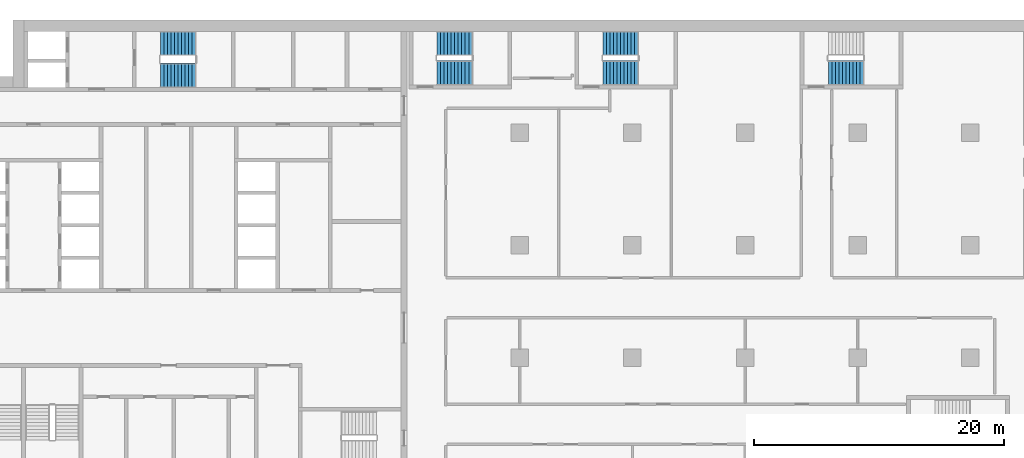
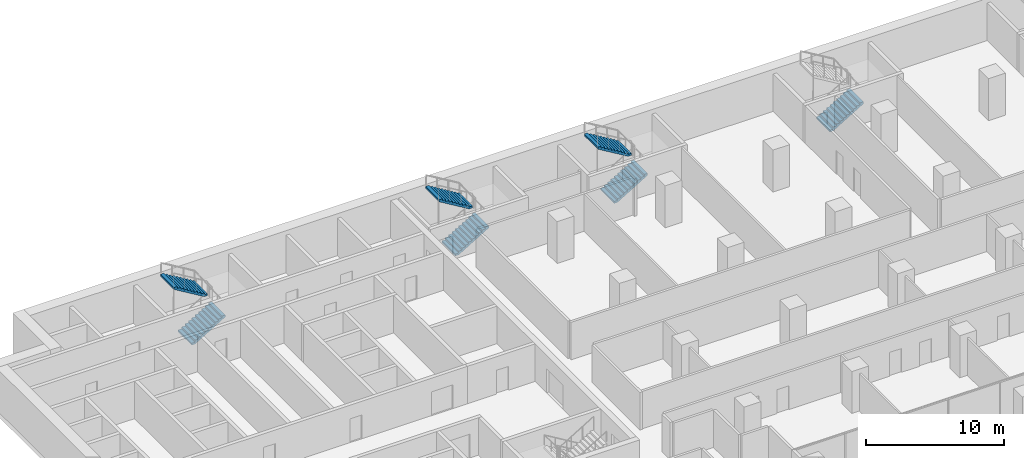
# One storey, part 21 of 28: 7 stair flights, 4 elements without a shape of their own.
"""IFC4 building model written with IfcOpenShell, lengths in metres."""

from ifc_helpers import new_model, si_unit, direction, frame, origin, place, context, subcontext, project, spatial, polyline, outline, extrude, material, type_object, element, aggregate, save


model = new_model("IFC4")

# Units and contexts
model_context = context("Model", 3, precision=1e-05, world=origin(), true_north=direction((0.0, 1.0)))
body_context = subcontext(model_context, "Body", "Model", "MODEL_VIEW")
ifc_project = project(units=[si_unit("LENGTHUNIT", "METRE"), si_unit("AREAUNIT", "SQUARE_METRE"), si_unit("VOLUMEUNIT", "CUBIC_METRE"), si_unit("PLANEANGLEUNIT", "RADIAN"), si_unit("MASSUNIT", "GRAM", prefix="KILO")], contexts=[model_context])

# Site, building, storey
site_placement = place(None, origin())
site = spatial("IfcSite", under=ifc_project, at=site_placement, CompositionType="ELEMENT")
building_placement = place(site_placement, origin())
building = spatial("IfcBuilding", under=site, at=building_placement, Name="Hunhe Ridgeline Campus", CompositionType="ELEMENT")
storey_placement = place(building_placement, frame((0.0, 0.0, 72.800048828125)))
storey = spatial("IfcBuildingStorey", under=building, at=storey_placement, Name="L17", CompositionType="ELEMENT", Elevation=72.800048828125)

# Stair, stair flights
ifc_material = material(Name="Concrete C40", Category="concrete")
stair_type = type_object("IfcStairType", Name="Reinforced concrete dog-leg stair 1950 Concrete C40", PredefinedType="HALF_TURN_STAIR", material=ifc_material)
stair_1_placement = place(storey_placement, origin())
stair_1 = element("IfcStair", 1, at=stair_1_placement, inside=storey, type_object=stair_type, Name="L17 S1", PredefinedType="HALF_TURN_STAIR")
stair_flight_type = type_object("IfcStairFlightType", Name="Reinforced concrete stair flight 1950 Concrete C40", PredefinedType="STRAIGHT", material=ifc_material)
stair_flight_1_placement = place(storey_placement, frame((16.300048828125, 94.574951171875, 0.0), z_axis=(0.0, 0.0, 1.0), x_axis=(1.0, 0.0, 0.0)))
stair_flight_1 = element("IfcStairFlight", 2, at=stair_flight_1_placement, type_object=stair_flight_type, Name="ST1 flight 1", NumberOfRisers=11, NumberOfTreads=10, PredefinedType="STRAIGHT", RiserHeight=0.168181818, TreadLength=0.28, context=body_context, shape_type="SweptSolid", body=[
    extrude(outline(polyline([(0.0, 0.0), (0.0, 0.168212890625), (0.280029296875, 0.168212890625), (0.280029296875, 0.33642578125), (0.56005859375, 0.33642578125), (0.56005859375, 0.504638671875), (0.840087890625, 0.504638671875), (0.840087890625, 0.672607421875), (1.1201171875, 0.672607421875), (1.1201171875, 0.8408203125), (1.39990234375, 0.8408203125), (1.39990234375, 1.009033203125), (1.679931640625, 1.009033203125), (1.679931640625, 1.17724609375), (1.9599609375, 1.17724609375), (1.9599609375, 1.345458984375), (2.239990234375, 1.345458984375), (2.239990234375, 1.513671875), (2.52001953125, 1.513671875), (2.52001953125, 1.681884765625), (2.800048828125, 1.681884765625), (2.800048828125, 1.85009765625), (2.800048828125, 1.5068359375), (0.291015625, 0.0), (0.0, 0.0)])), frame((0.0, 0.97509765625, 0.0), z_axis=(0.0, -1.0, 0.0), x_axis=(1.0, 0.0, 0.0)), (0.0, 0.0, 1.0), 1.949951171875),
    extrude(outline(polyline([(0.030029296875, 0.030029296875), (0.030029296875, 0.13818359375), (0.31005859375, 0.13818359375), (0.31005859375, 0.306396484375), (0.590087890625, 0.306396484375), (0.590087890625, 0.474609375), (0.8701171875, 0.474609375), (0.8701171875, 0.642578125), (1.14990234375, 0.642578125), (1.14990234375, 0.810791015625), (1.429931640625, 0.810791015625), (1.429931640625, 0.97900390625), (1.7099609375, 0.97900390625), (1.7099609375, 1.147216796875), (1.989990234375, 1.147216796875), (1.989990234375, 1.3154296875), (2.27001953125, 1.3154296875), (2.27001953125, 1.483642578125), (2.550048828125, 1.483642578125), (2.550048828125, 1.65185546875), (2.77001953125, 1.65185546875), (2.77001953125, 1.52392578125), (0.28271484375, 0.030029296875), (0.030029296875, 0.030029296875)])), frame((0.0, -0.070068359375, 0.0), z_axis=(0.0, -1.0, 0.0), x_axis=(1.0, 0.0, 0.0)), (0.0, 0.0, 1.0), 0.019775390625),
    extrude(outline(polyline([(0.030029296875, 0.030029296875), (0.030029296875, 0.13818359375), (0.31005859375, 0.13818359375), (0.31005859375, 0.306396484375), (0.590087890625, 0.306396484375), (0.590087890625, 0.474609375), (0.8701171875, 0.474609375), (0.8701171875, 0.642578125), (1.14990234375, 0.642578125), (1.14990234375, 0.810791015625), (1.429931640625, 0.810791015625), (1.429931640625, 0.97900390625), (1.7099609375, 0.97900390625), (1.7099609375, 1.147216796875), (1.989990234375, 1.147216796875), (1.989990234375, 1.3154296875), (2.27001953125, 1.3154296875), (2.27001953125, 1.483642578125), (2.550048828125, 1.483642578125), (2.550048828125, 1.65185546875), (2.77001953125, 1.65185546875), (2.77001953125, 1.52392578125), (0.28271484375, 0.030029296875), (0.030029296875, 0.030029296875)])), frame((0.0, 0.010009765625, 0.0), z_axis=(0.0, -1.0, 0.0), x_axis=(1.0, 0.0, 0.0)), (0.0, 0.0, 1.0), 0.019775390625),
    extrude(outline(polyline([(0.030029296875, 0.030029296875), (0.030029296875, 0.13818359375), (0.31005859375, 0.13818359375), (0.31005859375, 0.306396484375), (0.590087890625, 0.306396484375), (0.590087890625, 0.474609375), (0.8701171875, 0.474609375), (0.8701171875, 0.642578125), (1.14990234375, 0.642578125), (1.14990234375, 0.810791015625), (1.429931640625, 0.810791015625), (1.429931640625, 0.97900390625), (1.7099609375, 0.97900390625), (1.7099609375, 1.147216796875), (1.989990234375, 1.147216796875), (1.989990234375, 1.3154296875), (2.27001953125, 1.3154296875), (2.27001953125, 1.483642578125), (2.550048828125, 1.483642578125), (2.550048828125, 1.65185546875), (2.77001953125, 1.65185546875), (2.77001953125, 1.52392578125), (0.28271484375, 0.030029296875), (0.030029296875, 0.030029296875)])), frame((0.0, 0.090087890625, 0.0), z_axis=(0.0, -1.0, 0.0), x_axis=(1.0, 0.0, 0.0)), (0.0, 0.0, 1.0), 0.019775390625),
])
stair_flight_2_placement = place(storey_placement, frame((19.10009765625, 97.125, 1.849853515625), z_axis=(0.0, 0.0, 1.0), x_axis=(-1.0, 0.0, 0.0)))
stair_flight_2 = element("IfcStairFlight", 3, at=stair_flight_2_placement, type_object=stair_flight_type, Name="ST1 flight 2", NumberOfRisers=11, NumberOfTreads=10, PredefinedType="STRAIGHT", RiserHeight=0.168181818, TreadLength=0.28, context=body_context, shape_type="SweptSolid", body=[
    extrude(outline(polyline([(0.0, 0.0), (0.0, 0.168212890625), (0.280029296875, 0.168212890625), (0.280029296875, 0.33642578125), (0.56005859375, 0.33642578125), (0.56005859375, 0.504638671875), (0.840087890625, 0.504638671875), (0.840087890625, 0.672607421875), (1.1201171875, 0.672607421875), (1.1201171875, 0.8408203125), (1.39990234375, 0.8408203125), (1.39990234375, 1.009033203125), (1.679931640625, 1.009033203125), (1.679931640625, 1.17724609375), (1.9599609375, 1.17724609375), (1.9599609375, 1.345458984375), (2.239990234375, 1.345458984375), (2.239990234375, 1.513671875), (2.52001953125, 1.513671875), (2.52001953125, 1.681884765625), (2.800048828125, 1.681884765625), (2.800048828125, 1.85009765625), (2.800048828125, 1.5068359375), (0.291015625, 0.0), (0.0, 0.0)])), frame((0.0, 0.97509765625, 0.0), z_axis=(0.0, -1.0, 0.0), x_axis=(1.0, 0.0, 0.0)), (0.0, 0.0, 1.0), 1.949951171875),
    extrude(outline(polyline([(0.030029296875, 0.030029296875), (0.030029296875, 0.13818359375), (0.31005859375, 0.13818359375), (0.31005859375, 0.306396484375), (0.590087890625, 0.306396484375), (0.590087890625, 0.474609375), (0.8701171875, 0.474609375), (0.8701171875, 0.642578125), (1.14990234375, 0.642578125), (1.14990234375, 0.810791015625), (1.429931640625, 0.810791015625), (1.429931640625, 0.97900390625), (1.7099609375, 0.97900390625), (1.7099609375, 1.147216796875), (1.989990234375, 1.147216796875), (1.989990234375, 1.3154296875), (2.27001953125, 1.3154296875), (2.27001953125, 1.483642578125), (2.550048828125, 1.483642578125), (2.550048828125, 1.65185546875), (2.77001953125, 1.65185546875), (2.77001953125, 1.52392578125), (0.28271484375, 0.030029296875), (0.030029296875, 0.030029296875)])), frame((0.0, -0.070068359375, 0.0), z_axis=(0.0, -1.0, 0.0), x_axis=(1.0, 0.0, 0.0)), (0.0, 0.0, 1.0), 0.019775390625),
    extrude(outline(polyline([(0.030029296875, 0.030029296875), (0.030029296875, 0.13818359375), (0.31005859375, 0.13818359375), (0.31005859375, 0.306396484375), (0.590087890625, 0.306396484375), (0.590087890625, 0.474609375), (0.8701171875, 0.474609375), (0.8701171875, 0.642578125), (1.14990234375, 0.642578125), (1.14990234375, 0.810791015625), (1.429931640625, 0.810791015625), (1.429931640625, 0.97900390625), (1.7099609375, 0.97900390625), (1.7099609375, 1.147216796875), (1.989990234375, 1.147216796875), (1.989990234375, 1.3154296875), (2.27001953125, 1.3154296875), (2.27001953125, 1.483642578125), (2.550048828125, 1.483642578125), (2.550048828125, 1.65185546875), (2.77001953125, 1.65185546875), (2.77001953125, 1.52392578125), (0.28271484375, 0.030029296875), (0.030029296875, 0.030029296875)])), frame((0.0, 0.010009765625, 0.0), z_axis=(0.0, -1.0, 0.0), x_axis=(1.0, 0.0, 0.0)), (0.0, 0.0, 1.0), 0.019775390625),
    extrude(outline(polyline([(0.030029296875, 0.030029296875), (0.030029296875, 0.13818359375), (0.31005859375, 0.13818359375), (0.31005859375, 0.306396484375), (0.590087890625, 0.306396484375), (0.590087890625, 0.474609375), (0.8701171875, 0.474609375), (0.8701171875, 0.642578125), (1.14990234375, 0.642578125), (1.14990234375, 0.810791015625), (1.429931640625, 0.810791015625), (1.429931640625, 0.97900390625), (1.7099609375, 0.97900390625), (1.7099609375, 1.147216796875), (1.989990234375, 1.147216796875), (1.989990234375, 1.3154296875), (2.27001953125, 1.3154296875), (2.27001953125, 1.483642578125), (2.550048828125, 1.483642578125), (2.550048828125, 1.65185546875), (2.77001953125, 1.65185546875), (2.77001953125, 1.52392578125), (0.28271484375, 0.030029296875), (0.030029296875, 0.030029296875)])), frame((0.0, 0.090087890625, 0.0), z_axis=(0.0, -1.0, 0.0), x_axis=(1.0, 0.0, 0.0)), (0.0, 0.0, 1.0), 0.019775390625),
])
aggregate(stair_1, [stair_flight_1, stair_flight_2])

stair_2_placement = place(storey_placement, origin())
stair_2 = element("IfcStair", 4, at=stair_2_placement, inside=storey, type_object=stair_type, Name="L17 E1", PredefinedType="HALF_TURN_STAIR")
stair_flight_3_placement = place(storey_placement, frame((38.39990234375, 94.77490234375, 0.0), z_axis=(0.0, 0.0, 1.0), x_axis=(1.0, 0.0, 0.0)))
stair_flight_3 = element("IfcStairFlight", 5, at=stair_flight_3_placement, type_object=stair_flight_type, Name="ST5 flight 1", NumberOfRisers=11, NumberOfTreads=10, PredefinedType="STRAIGHT", RiserHeight=0.168181818, TreadLength=0.28, context=body_context, shape_type="SweptSolid", body=[
    extrude(outline(polyline([(0.0, 0.0), (0.0, 0.168212890625), (0.280029296875, 0.168212890625), (0.280029296875, 0.33642578125), (0.56005859375, 0.33642578125), (0.56005859375, 0.504638671875), (0.840087890625, 0.504638671875), (0.840087890625, 0.672607421875), (1.1201171875, 0.672607421875), (1.1201171875, 0.8408203125), (1.39990234375, 0.8408203125), (1.39990234375, 1.009033203125), (1.679931640625, 1.009033203125), (1.679931640625, 1.17724609375), (1.9599609375, 1.17724609375), (1.9599609375, 1.345458984375), (2.239990234375, 1.345458984375), (2.239990234375, 1.513671875), (2.52001953125, 1.513671875), (2.52001953125, 1.681884765625), (2.800048828125, 1.681884765625), (2.800048828125, 1.85009765625), (2.800048828125, 1.5068359375), (0.291015625, 0.0), (0.0, 0.0)])), frame((0.0, 0.97509765625, 0.0), z_axis=(0.0, -1.0, 0.0), x_axis=(1.0, 0.0, 0.0)), (0.0, 0.0, 1.0), 1.949951171875),
    extrude(outline(polyline([(0.030029296875, 0.030029296875), (0.030029296875, 0.13818359375), (0.31005859375, 0.13818359375), (0.31005859375, 0.306396484375), (0.590087890625, 0.306396484375), (0.590087890625, 0.474609375), (0.8701171875, 0.474609375), (0.8701171875, 0.642578125), (1.14990234375, 0.642578125), (1.14990234375, 0.810791015625), (1.429931640625, 0.810791015625), (1.429931640625, 0.97900390625), (1.7099609375, 0.97900390625), (1.7099609375, 1.147216796875), (1.989990234375, 1.147216796875), (1.989990234375, 1.3154296875), (2.27001953125, 1.3154296875), (2.27001953125, 1.483642578125), (2.550048828125, 1.483642578125), (2.550048828125, 1.65185546875), (2.77001953125, 1.65185546875), (2.77001953125, 1.52392578125), (0.28271484375, 0.030029296875), (0.030029296875, 0.030029296875)])), frame((0.0, -0.070068359375, 0.0), z_axis=(0.0, -1.0, 0.0), x_axis=(1.0, 0.0, 0.0)), (0.0, 0.0, 1.0), 0.019775390625),
    extrude(outline(polyline([(0.030029296875, 0.030029296875), (0.030029296875, 0.13818359375), (0.31005859375, 0.13818359375), (0.31005859375, 0.306396484375), (0.590087890625, 0.306396484375), (0.590087890625, 0.474609375), (0.8701171875, 0.474609375), (0.8701171875, 0.642578125), (1.14990234375, 0.642578125), (1.14990234375, 0.810791015625), (1.429931640625, 0.810791015625), (1.429931640625, 0.97900390625), (1.7099609375, 0.97900390625), (1.7099609375, 1.147216796875), (1.989990234375, 1.147216796875), (1.989990234375, 1.3154296875), (2.27001953125, 1.3154296875), (2.27001953125, 1.483642578125), (2.550048828125, 1.483642578125), (2.550048828125, 1.65185546875), (2.77001953125, 1.65185546875), (2.77001953125, 1.52392578125), (0.28271484375, 0.030029296875), (0.030029296875, 0.030029296875)])), frame((0.0, 0.010009765625, 0.0), z_axis=(0.0, -1.0, 0.0), x_axis=(1.0, 0.0, 0.0)), (0.0, 0.0, 1.0), 0.019775390625),
    extrude(outline(polyline([(0.030029296875, 0.030029296875), (0.030029296875, 0.13818359375), (0.31005859375, 0.13818359375), (0.31005859375, 0.306396484375), (0.590087890625, 0.306396484375), (0.590087890625, 0.474609375), (0.8701171875, 0.474609375), (0.8701171875, 0.642578125), (1.14990234375, 0.642578125), (1.14990234375, 0.810791015625), (1.429931640625, 0.810791015625), (1.429931640625, 0.97900390625), (1.7099609375, 0.97900390625), (1.7099609375, 1.147216796875), (1.989990234375, 1.147216796875), (1.989990234375, 1.3154296875), (2.27001953125, 1.3154296875), (2.27001953125, 1.483642578125), (2.550048828125, 1.483642578125), (2.550048828125, 1.65185546875), (2.77001953125, 1.65185546875), (2.77001953125, 1.52392578125), (0.28271484375, 0.030029296875), (0.030029296875, 0.030029296875)])), frame((0.0, 0.090087890625, 0.0), z_axis=(0.0, -1.0, 0.0), x_axis=(1.0, 0.0, 0.0)), (0.0, 0.0, 1.0), 0.019775390625),
])
stair_flight_4_placement = place(storey_placement, frame((41.199951171875, 97.125, 1.849853515625), z_axis=(0.0, 0.0, 1.0), x_axis=(-1.0, 0.0, 0.0)))
stair_flight_4 = element("IfcStairFlight", 6, at=stair_flight_4_placement, type_object=stair_flight_type, Name="ST5 flight 2", NumberOfRisers=11, NumberOfTreads=10, PredefinedType="STRAIGHT", RiserHeight=0.168181818, TreadLength=0.28, context=body_context, shape_type="SweptSolid", body=[
    extrude(outline(polyline([(0.0, 0.0), (0.0, 0.168212890625), (0.280029296875, 0.168212890625), (0.280029296875, 0.33642578125), (0.56005859375, 0.33642578125), (0.56005859375, 0.504638671875), (0.840087890625, 0.504638671875), (0.840087890625, 0.672607421875), (1.1201171875, 0.672607421875), (1.1201171875, 0.8408203125), (1.39990234375, 0.8408203125), (1.39990234375, 1.009033203125), (1.679931640625, 1.009033203125), (1.679931640625, 1.17724609375), (1.9599609375, 1.17724609375), (1.9599609375, 1.345458984375), (2.239990234375, 1.345458984375), (2.239990234375, 1.513671875), (2.52001953125, 1.513671875), (2.52001953125, 1.681884765625), (2.800048828125, 1.681884765625), (2.800048828125, 1.85009765625), (2.800048828125, 1.5068359375), (0.291015625, 0.0), (0.0, 0.0)])), frame((0.0, 0.97509765625, 0.0), z_axis=(0.0, -1.0, 0.0), x_axis=(1.0, 0.0, 0.0)), (0.0, 0.0, 1.0), 1.949951171875),
    extrude(outline(polyline([(0.030029296875, 0.030029296875), (0.030029296875, 0.13818359375), (0.31005859375, 0.13818359375), (0.31005859375, 0.306396484375), (0.590087890625, 0.306396484375), (0.590087890625, 0.474609375), (0.8701171875, 0.474609375), (0.8701171875, 0.642578125), (1.14990234375, 0.642578125), (1.14990234375, 0.810791015625), (1.429931640625, 0.810791015625), (1.429931640625, 0.97900390625), (1.7099609375, 0.97900390625), (1.7099609375, 1.147216796875), (1.989990234375, 1.147216796875), (1.989990234375, 1.3154296875), (2.27001953125, 1.3154296875), (2.27001953125, 1.483642578125), (2.550048828125, 1.483642578125), (2.550048828125, 1.65185546875), (2.77001953125, 1.65185546875), (2.77001953125, 1.52392578125), (0.28271484375, 0.030029296875), (0.030029296875, 0.030029296875)])), frame((0.0, -0.070068359375, 0.0), z_axis=(0.0, -1.0, 0.0), x_axis=(1.0, 0.0, 0.0)), (0.0, 0.0, 1.0), 0.019775390625),
    extrude(outline(polyline([(0.030029296875, 0.030029296875), (0.030029296875, 0.13818359375), (0.31005859375, 0.13818359375), (0.31005859375, 0.306396484375), (0.590087890625, 0.306396484375), (0.590087890625, 0.474609375), (0.8701171875, 0.474609375), (0.8701171875, 0.642578125), (1.14990234375, 0.642578125), (1.14990234375, 0.810791015625), (1.429931640625, 0.810791015625), (1.429931640625, 0.97900390625), (1.7099609375, 0.97900390625), (1.7099609375, 1.147216796875), (1.989990234375, 1.147216796875), (1.989990234375, 1.3154296875), (2.27001953125, 1.3154296875), (2.27001953125, 1.483642578125), (2.550048828125, 1.483642578125), (2.550048828125, 1.65185546875), (2.77001953125, 1.65185546875), (2.77001953125, 1.52392578125), (0.28271484375, 0.030029296875), (0.030029296875, 0.030029296875)])), frame((0.0, 0.010009765625, 0.0), z_axis=(0.0, -1.0, 0.0), x_axis=(1.0, 0.0, 0.0)), (0.0, 0.0, 1.0), 0.019775390625),
    extrude(outline(polyline([(0.030029296875, 0.030029296875), (0.030029296875, 0.13818359375), (0.31005859375, 0.13818359375), (0.31005859375, 0.306396484375), (0.590087890625, 0.306396484375), (0.590087890625, 0.474609375), (0.8701171875, 0.474609375), (0.8701171875, 0.642578125), (1.14990234375, 0.642578125), (1.14990234375, 0.810791015625), (1.429931640625, 0.810791015625), (1.429931640625, 0.97900390625), (1.7099609375, 0.97900390625), (1.7099609375, 1.147216796875), (1.989990234375, 1.147216796875), (1.989990234375, 1.3154296875), (2.27001953125, 1.3154296875), (2.27001953125, 1.483642578125), (2.550048828125, 1.483642578125), (2.550048828125, 1.65185546875), (2.77001953125, 1.65185546875), (2.77001953125, 1.52392578125), (0.28271484375, 0.030029296875), (0.030029296875, 0.030029296875)])), frame((0.0, 0.090087890625, 0.0), z_axis=(0.0, -1.0, 0.0), x_axis=(1.0, 0.0, 0.0)), (0.0, 0.0, 1.0), 0.019775390625),
])
aggregate(stair_2, [stair_flight_3, stair_flight_4])

stair_3_placement = place(storey_placement, origin())
stair_3 = element("IfcStair", 7, at=stair_3_placement, inside=storey, type_object=stair_type, Name="L17 E2", PredefinedType="HALF_TURN_STAIR")
stair_flight_5_placement = place(storey_placement, frame((51.64990234375, 94.77490234375, 0.0), z_axis=(0.0, 0.0, 1.0), x_axis=(1.0, 0.0, 0.0)))
stair_flight_5 = element("IfcStairFlight", 8, at=stair_flight_5_placement, type_object=stair_flight_type, Name="ST6 flight 1", NumberOfRisers=11, NumberOfTreads=10, PredefinedType="STRAIGHT", RiserHeight=0.168181818, TreadLength=0.28, context=body_context, shape_type="SweptSolid", body=[
    extrude(outline(polyline([(0.0, 0.0), (0.0, 0.168212890625), (0.280029296875, 0.168212890625), (0.280029296875, 0.33642578125), (0.56005859375, 0.33642578125), (0.56005859375, 0.504638671875), (0.840087890625, 0.504638671875), (0.840087890625, 0.672607421875), (1.1201171875, 0.672607421875), (1.1201171875, 0.8408203125), (1.39990234375, 0.8408203125), (1.39990234375, 1.009033203125), (1.679931640625, 1.009033203125), (1.679931640625, 1.17724609375), (1.9599609375, 1.17724609375), (1.9599609375, 1.345458984375), (2.239990234375, 1.345458984375), (2.239990234375, 1.513671875), (2.52001953125, 1.513671875), (2.52001953125, 1.681884765625), (2.800048828125, 1.681884765625), (2.800048828125, 1.85009765625), (2.800048828125, 1.5068359375), (0.291015625, 0.0), (0.0, 0.0)])), frame((0.0, 0.97509765625, 0.0), z_axis=(0.0, -1.0, 0.0), x_axis=(1.0, 0.0, 0.0)), (0.0, 0.0, 1.0), 1.949951171875),
    extrude(outline(polyline([(0.030029296875, 0.030029296875), (0.030029296875, 0.13818359375), (0.31005859375, 0.13818359375), (0.31005859375, 0.306396484375), (0.590087890625, 0.306396484375), (0.590087890625, 0.474609375), (0.8701171875, 0.474609375), (0.8701171875, 0.642578125), (1.14990234375, 0.642578125), (1.14990234375, 0.810791015625), (1.429931640625, 0.810791015625), (1.429931640625, 0.97900390625), (1.7099609375, 0.97900390625), (1.7099609375, 1.147216796875), (1.989990234375, 1.147216796875), (1.989990234375, 1.3154296875), (2.27001953125, 1.3154296875), (2.27001953125, 1.483642578125), (2.550048828125, 1.483642578125), (2.550048828125, 1.65185546875), (2.77001953125, 1.65185546875), (2.77001953125, 1.52392578125), (0.28271484375, 0.030029296875), (0.030029296875, 0.030029296875)])), frame((0.0, -0.070068359375, 0.0), z_axis=(0.0, -1.0, 0.0), x_axis=(1.0, 0.0, 0.0)), (0.0, 0.0, 1.0), 0.019775390625),
    extrude(outline(polyline([(0.030029296875, 0.030029296875), (0.030029296875, 0.13818359375), (0.31005859375, 0.13818359375), (0.31005859375, 0.306396484375), (0.590087890625, 0.306396484375), (0.590087890625, 0.474609375), (0.8701171875, 0.474609375), (0.8701171875, 0.642578125), (1.14990234375, 0.642578125), (1.14990234375, 0.810791015625), (1.429931640625, 0.810791015625), (1.429931640625, 0.97900390625), (1.7099609375, 0.97900390625), (1.7099609375, 1.147216796875), (1.989990234375, 1.147216796875), (1.989990234375, 1.3154296875), (2.27001953125, 1.3154296875), (2.27001953125, 1.483642578125), (2.550048828125, 1.483642578125), (2.550048828125, 1.65185546875), (2.77001953125, 1.65185546875), (2.77001953125, 1.52392578125), (0.28271484375, 0.030029296875), (0.030029296875, 0.030029296875)])), frame((0.0, 0.010009765625, 0.0), z_axis=(0.0, -1.0, 0.0), x_axis=(1.0, 0.0, 0.0)), (0.0, 0.0, 1.0), 0.019775390625),
    extrude(outline(polyline([(0.030029296875, 0.030029296875), (0.030029296875, 0.13818359375), (0.31005859375, 0.13818359375), (0.31005859375, 0.306396484375), (0.590087890625, 0.306396484375), (0.590087890625, 0.474609375), (0.8701171875, 0.474609375), (0.8701171875, 0.642578125), (1.14990234375, 0.642578125), (1.14990234375, 0.810791015625), (1.429931640625, 0.810791015625), (1.429931640625, 0.97900390625), (1.7099609375, 0.97900390625), (1.7099609375, 1.147216796875), (1.989990234375, 1.147216796875), (1.989990234375, 1.3154296875), (2.27001953125, 1.3154296875), (2.27001953125, 1.483642578125), (2.550048828125, 1.483642578125), (2.550048828125, 1.65185546875), (2.77001953125, 1.65185546875), (2.77001953125, 1.52392578125), (0.28271484375, 0.030029296875), (0.030029296875, 0.030029296875)])), frame((0.0, 0.090087890625, 0.0), z_axis=(0.0, -1.0, 0.0), x_axis=(1.0, 0.0, 0.0)), (0.0, 0.0, 1.0), 0.019775390625),
])
stair_flight_6_placement = place(storey_placement, frame((54.449951171875, 97.125, 1.849853515625), z_axis=(0.0, 0.0, 1.0), x_axis=(-1.0, 0.0, 0.0)))
stair_flight_6 = element("IfcStairFlight", 9, at=stair_flight_6_placement, type_object=stair_flight_type, Name="ST6 flight 2", NumberOfRisers=11, NumberOfTreads=10, PredefinedType="STRAIGHT", RiserHeight=0.168181818, TreadLength=0.28, context=body_context, shape_type="SweptSolid", body=[
    extrude(outline(polyline([(0.0, 0.0), (0.0, 0.168212890625), (0.280029296875, 0.168212890625), (0.280029296875, 0.33642578125), (0.56005859375, 0.33642578125), (0.56005859375, 0.504638671875), (0.840087890625, 0.504638671875), (0.840087890625, 0.672607421875), (1.1201171875, 0.672607421875), (1.1201171875, 0.8408203125), (1.39990234375, 0.8408203125), (1.39990234375, 1.009033203125), (1.679931640625, 1.009033203125), (1.679931640625, 1.17724609375), (1.9599609375, 1.17724609375), (1.9599609375, 1.345458984375), (2.239990234375, 1.345458984375), (2.239990234375, 1.513671875), (2.52001953125, 1.513671875), (2.52001953125, 1.681884765625), (2.800048828125, 1.681884765625), (2.800048828125, 1.85009765625), (2.800048828125, 1.5068359375), (0.291015625, 0.0), (0.0, 0.0)])), frame((0.0, 0.97509765625, 0.0), z_axis=(0.0, -1.0, 0.0), x_axis=(1.0, 0.0, 0.0)), (0.0, 0.0, 1.0), 1.949951171875),
    extrude(outline(polyline([(0.030029296875, 0.030029296875), (0.030029296875, 0.13818359375), (0.31005859375, 0.13818359375), (0.31005859375, 0.306396484375), (0.590087890625, 0.306396484375), (0.590087890625, 0.474609375), (0.8701171875, 0.474609375), (0.8701171875, 0.642578125), (1.14990234375, 0.642578125), (1.14990234375, 0.810791015625), (1.429931640625, 0.810791015625), (1.429931640625, 0.97900390625), (1.7099609375, 0.97900390625), (1.7099609375, 1.147216796875), (1.989990234375, 1.147216796875), (1.989990234375, 1.3154296875), (2.27001953125, 1.3154296875), (2.27001953125, 1.483642578125), (2.550048828125, 1.483642578125), (2.550048828125, 1.65185546875), (2.77001953125, 1.65185546875), (2.77001953125, 1.52392578125), (0.28271484375, 0.030029296875), (0.030029296875, 0.030029296875)])), frame((0.0, -0.070068359375, 0.0), z_axis=(0.0, -1.0, 0.0), x_axis=(1.0, 0.0, 0.0)), (0.0, 0.0, 1.0), 0.019775390625),
    extrude(outline(polyline([(0.030029296875, 0.030029296875), (0.030029296875, 0.13818359375), (0.31005859375, 0.13818359375), (0.31005859375, 0.306396484375), (0.590087890625, 0.306396484375), (0.590087890625, 0.474609375), (0.8701171875, 0.474609375), (0.8701171875, 0.642578125), (1.14990234375, 0.642578125), (1.14990234375, 0.810791015625), (1.429931640625, 0.810791015625), (1.429931640625, 0.97900390625), (1.7099609375, 0.97900390625), (1.7099609375, 1.147216796875), (1.989990234375, 1.147216796875), (1.989990234375, 1.3154296875), (2.27001953125, 1.3154296875), (2.27001953125, 1.483642578125), (2.550048828125, 1.483642578125), (2.550048828125, 1.65185546875), (2.77001953125, 1.65185546875), (2.77001953125, 1.52392578125), (0.28271484375, 0.030029296875), (0.030029296875, 0.030029296875)])), frame((0.0, 0.010009765625, 0.0), z_axis=(0.0, -1.0, 0.0), x_axis=(1.0, 0.0, 0.0)), (0.0, 0.0, 1.0), 0.019775390625),
    extrude(outline(polyline([(0.030029296875, 0.030029296875), (0.030029296875, 0.13818359375), (0.31005859375, 0.13818359375), (0.31005859375, 0.306396484375), (0.590087890625, 0.306396484375), (0.590087890625, 0.474609375), (0.8701171875, 0.474609375), (0.8701171875, 0.642578125), (1.14990234375, 0.642578125), (1.14990234375, 0.810791015625), (1.429931640625, 0.810791015625), (1.429931640625, 0.97900390625), (1.7099609375, 0.97900390625), (1.7099609375, 1.147216796875), (1.989990234375, 1.147216796875), (1.989990234375, 1.3154296875), (2.27001953125, 1.3154296875), (2.27001953125, 1.483642578125), (2.550048828125, 1.483642578125), (2.550048828125, 1.65185546875), (2.77001953125, 1.65185546875), (2.77001953125, 1.52392578125), (0.28271484375, 0.030029296875), (0.030029296875, 0.030029296875)])), frame((0.0, 0.090087890625, 0.0), z_axis=(0.0, -1.0, 0.0), x_axis=(1.0, 0.0, 0.0)), (0.0, 0.0, 1.0), 0.019775390625),
])
aggregate(stair_3, [stair_flight_5, stair_flight_6])

# Stair, stair flight
stair_4_placement = place(storey_placement, origin())
stair_4 = element("IfcStair", 10, at=stair_4_placement, inside=storey, type_object=stair_type, Name="L17 E3", PredefinedType="HALF_TURN_STAIR")
stair_flight_7_placement = place(storey_placement, frame((69.64990234375, 94.77490234375, 0.0), z_axis=(0.0, 0.0, 1.0), x_axis=(1.0, 0.0, 0.0)))
stair_flight_7 = element("IfcStairFlight", 11, at=stair_flight_7_placement, type_object=stair_flight_type, Name="ST7 flight 1", NumberOfRisers=11, NumberOfTreads=10, PredefinedType="STRAIGHT", RiserHeight=0.168181818, TreadLength=0.28, context=body_context, shape_type="SweptSolid", body=[
    extrude(outline(polyline([(0.0, 0.0), (0.0, 0.168212890625), (0.280029296875, 0.168212890625), (0.280029296875, 0.33642578125), (0.56005859375, 0.33642578125), (0.56005859375, 0.504638671875), (0.840087890625, 0.504638671875), (0.840087890625, 0.672607421875), (1.1201171875, 0.672607421875), (1.1201171875, 0.8408203125), (1.39990234375, 0.8408203125), (1.39990234375, 1.009033203125), (1.679931640625, 1.009033203125), (1.679931640625, 1.17724609375), (1.9599609375, 1.17724609375), (1.9599609375, 1.345458984375), (2.239990234375, 1.345458984375), (2.239990234375, 1.513671875), (2.52001953125, 1.513671875), (2.52001953125, 1.681884765625), (2.800048828125, 1.681884765625), (2.800048828125, 1.85009765625), (2.800048828125, 1.5068359375), (0.291015625, 0.0), (0.0, 0.0)])), frame((0.0, 0.97509765625, 0.0), z_axis=(0.0, -1.0, 0.0), x_axis=(1.0, 0.0, 0.0)), (0.0, 0.0, 1.0), 1.949951171875),
    extrude(outline(polyline([(0.030029296875, 0.030029296875), (0.030029296875, 0.13818359375), (0.31005859375, 0.13818359375), (0.31005859375, 0.306396484375), (0.590087890625, 0.306396484375), (0.590087890625, 0.474609375), (0.8701171875, 0.474609375), (0.8701171875, 0.642578125), (1.14990234375, 0.642578125), (1.14990234375, 0.810791015625), (1.429931640625, 0.810791015625), (1.429931640625, 0.97900390625), (1.7099609375, 0.97900390625), (1.7099609375, 1.147216796875), (1.989990234375, 1.147216796875), (1.989990234375, 1.3154296875), (2.27001953125, 1.3154296875), (2.27001953125, 1.483642578125), (2.550048828125, 1.483642578125), (2.550048828125, 1.65185546875), (2.77001953125, 1.65185546875), (2.77001953125, 1.52392578125), (0.28271484375, 0.030029296875), (0.030029296875, 0.030029296875)])), frame((0.0, -0.070068359375, 0.0), z_axis=(0.0, -1.0, 0.0), x_axis=(1.0, 0.0, 0.0)), (0.0, 0.0, 1.0), 0.019775390625),
    extrude(outline(polyline([(0.030029296875, 0.030029296875), (0.030029296875, 0.13818359375), (0.31005859375, 0.13818359375), (0.31005859375, 0.306396484375), (0.590087890625, 0.306396484375), (0.590087890625, 0.474609375), (0.8701171875, 0.474609375), (0.8701171875, 0.642578125), (1.14990234375, 0.642578125), (1.14990234375, 0.810791015625), (1.429931640625, 0.810791015625), (1.429931640625, 0.97900390625), (1.7099609375, 0.97900390625), (1.7099609375, 1.147216796875), (1.989990234375, 1.147216796875), (1.989990234375, 1.3154296875), (2.27001953125, 1.3154296875), (2.27001953125, 1.483642578125), (2.550048828125, 1.483642578125), (2.550048828125, 1.65185546875), (2.77001953125, 1.65185546875), (2.77001953125, 1.52392578125), (0.28271484375, 0.030029296875), (0.030029296875, 0.030029296875)])), frame((0.0, 0.010009765625, 0.0), z_axis=(0.0, -1.0, 0.0), x_axis=(1.0, 0.0, 0.0)), (0.0, 0.0, 1.0), 0.019775390625),
    extrude(outline(polyline([(0.030029296875, 0.030029296875), (0.030029296875, 0.13818359375), (0.31005859375, 0.13818359375), (0.31005859375, 0.306396484375), (0.590087890625, 0.306396484375), (0.590087890625, 0.474609375), (0.8701171875, 0.474609375), (0.8701171875, 0.642578125), (1.14990234375, 0.642578125), (1.14990234375, 0.810791015625), (1.429931640625, 0.810791015625), (1.429931640625, 0.97900390625), (1.7099609375, 0.97900390625), (1.7099609375, 1.147216796875), (1.989990234375, 1.147216796875), (1.989990234375, 1.3154296875), (2.27001953125, 1.3154296875), (2.27001953125, 1.483642578125), (2.550048828125, 1.483642578125), (2.550048828125, 1.65185546875), (2.77001953125, 1.65185546875), (2.77001953125, 1.52392578125), (0.28271484375, 0.030029296875), (0.030029296875, 0.030029296875)])), frame((0.0, 0.090087890625, 0.0), z_axis=(0.0, -1.0, 0.0), x_axis=(1.0, 0.0, 0.0)), (0.0, 0.0, 1.0), 0.019775390625),
])
aggregate(stair_4, [stair_flight_7])

save(model, "model.ifc")
